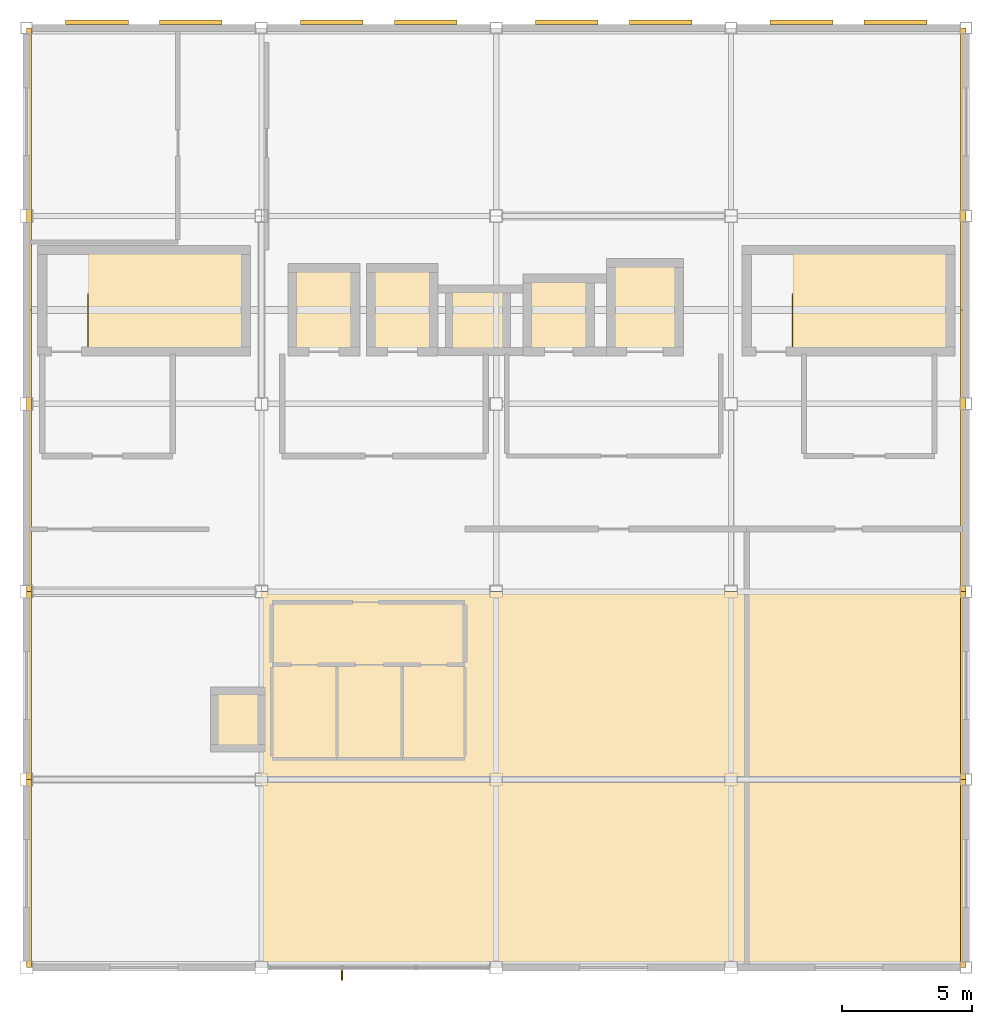
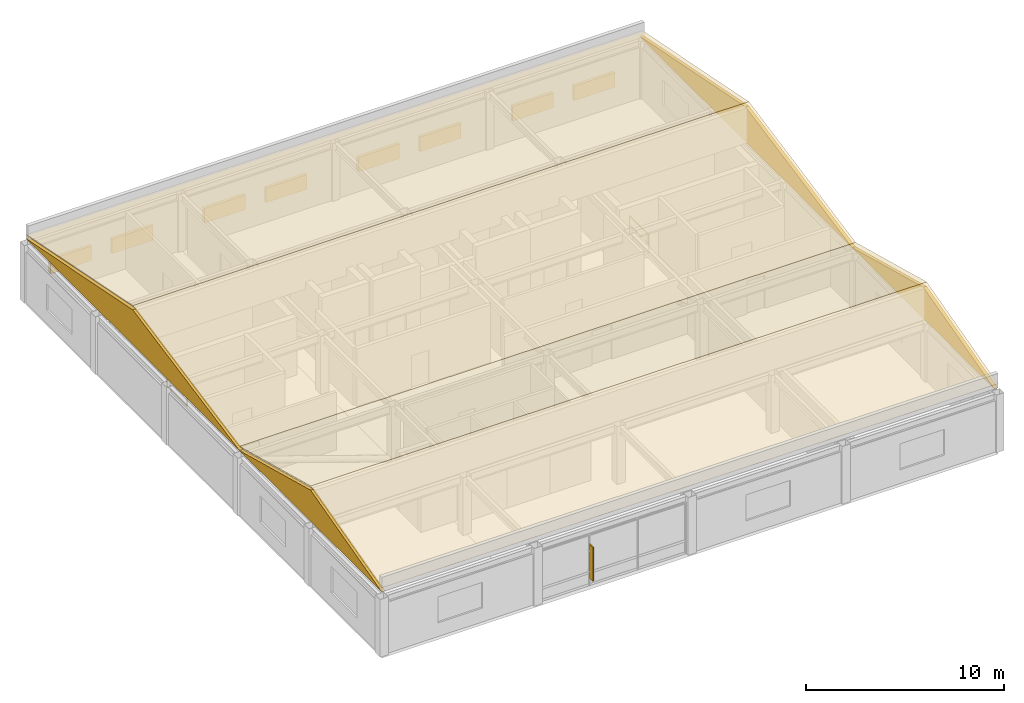
# One storey, part 9 of 9: 9 shading devices, 8 coverings, 2 railings.
"""IFC4 building model written with IfcOpenShell, lengths in metres."""

from ifc_helpers import new_model, si_unit, direction, frame, origin, origin_2d, place, context, subcontext, project, spatial, polyline, rectangle, outline, extrude, material, layer, layer_set, type_object, element, save


model = new_model("IFC4")

# Units and contexts
model_context = context("Model", 3, precision=1e-05, world=origin(), true_north=direction((0.0, 1.0)))
body_context = subcontext(model_context, "Body", "Model", "MODEL_VIEW")
ifc_project = project(units=[si_unit("LENGTHUNIT", "METRE"), si_unit("AREAUNIT", "SQUARE_METRE"), si_unit("VOLUMEUNIT", "CUBIC_METRE"), si_unit("PLANEANGLEUNIT", "RADIAN"), si_unit("MASSUNIT", "GRAM", prefix="KILO")], contexts=[model_context])

# Site, building, storey
site_placement = place(None, origin())
site = spatial("IfcSite", under=ifc_project, at=site_placement, CompositionType="ELEMENT")
building_placement = place(site_placement, origin())
building = spatial("IfcBuilding", under=site, at=building_placement, Name="Kazanami Central Library", CompositionType="ELEMENT")
storey_placement = place(building_placement, frame((0.0, 0.0, 31.39990234375)))
storey = spatial("IfcBuildingStorey", under=building, at=storey_placement, Name="L09", CompositionType="ELEMENT", Elevation=31.39990234375)

# Coverings
ifc_material_1 = material(Name="Honed Inada Granite", Category="masonry")
ifc_layer_1 = layer(ifc_material_1, 0.199951171875, Name="Honed Inada Granite")
ifc_layer_set_1 = layer_set([ifc_layer_1], Name="Honed Inada Granite")
covering_type_1 = type_object("IfcCoveringType", Name="COV-GAB-200", PredefinedType="CLADDING", material=ifc_layer_set_1)
for number, where, z_axis, x_axis, name in (
    (1, (126.199951171875, 57.60009765625, 3.800048828125), (1.0, 0.0, 0.0), (0.0, 1.0, 0.0), "Granite Gable Pediment GAB-L09-V2-S (W)"),
    (2, (162.0, 57.60009765625, 3.800048828125), (1.0, 0.0, 0.0), (0.0, 1.0, 0.0), "Granite Gable Pediment GAB-L09-V2-S (E)"),
):
    element("IfcCovering", number, at=place(storey_placement, frame(where, z_axis=z_axis, x_axis=x_axis)), inside=storey, type_object=covering_type_1, Name=name, PredefinedType="CLADDING", context=body_context, shape_type="SweptSolid", body=[
        extrude(outline(polyline([(0.0, 0.0), (14.39990234375, 0.0), (7.199951171875, 1.920166015625), (0.0, 0.0)])), origin(), (0.0, 0.0, -1.0), 0.199951171875),
    ])
for number, where, z_axis, x_axis, name in (
    (3, (126.199951171875, 72.0, 3.800048828125), (1.0, 0.0, 0.0), (0.0, 1.0, 0.0), "Granite Gable Pediment GAB-L09-V2-N (W)"),
    (4, (162.0, 72.0, 3.800048828125), (1.0, 0.0, 0.0), (0.0, 1.0, 0.0), "Granite Gable Pediment GAB-L09-V2-N (E)"),
):
    element("IfcCovering", number, at=place(storey_placement, frame(where, z_axis=z_axis, x_axis=x_axis)), inside=storey, type_object=covering_type_1, Name=name, PredefinedType="CLADDING", context=body_context, shape_type="SweptSolid", body=[
        extrude(outline(polyline([(0.0, 0.0), (21.60009765625, 0.0), (10.800048828125, 2.150146484375), (0.0, 0.0)])), origin(), (0.0, 0.0, -1.0), 0.199951171875),
    ])
ifc_material_2 = material(Name="Standing-Seam Titanium Zinc")
ifc_layer_2 = layer(ifc_material_2, 0.034912109375, Name="Standing-Seam Titanium Zinc")
ifc_layer_set_2 = layer_set([ifc_layer_2], Name="Standing-Seam Titanium Zinc")
covering_type_2 = type_object("IfcCoveringType", Name="COV-ZNC-35", PredefinedType="ROOFING", material=ifc_layer_set_2)
for number, where, z_axis, x_axis, name in (
    (5, (126.0, 57.60009765625, 4.06396484375), (0.0, -0.257654493589, 0.966237114757), (1.0, 0.0, 0.0), "Standing-Seam Zinc Roofing South GAB-L09-V2-S"),
    (6, (162.0, 72.0, 4.06396484375), (0.0, 0.257654493589, 0.966237114757), (-1.0, 0.0, 0.0), "Standing-Seam Zinc Roofing North GAB-L09-V2-S"),
):
    element("IfcCovering", number, at=place(storey_placement, frame(where, z_axis=z_axis, x_axis=x_axis)), inside=storey, type_object=covering_type_2, Name=name, PredefinedType="ROOFING", context=body_context, shape_type="SweptSolid", body=[
        extrude(outline(polyline([(0.0, 0.0), (36.0, 0.0), (36.0, 7.451536545135351), (0.0, 7.451536545135351), (0.0, 0.0)])), origin(), (0.0, 0.0, -1.0), 0.034912109375),
    ])
for number, where, z_axis, x_axis, name in (
    (7, (126.0, 72.0, 4.06005859375), (0.0, -0.195254824236, 0.980752544535), (1.0, 0.0, 0.0), "Standing-Seam Zinc Roofing South GAB-L09-V2-N"),
    (8, (162.0, 93.60009765625, 4.06005859375), (0.0, 0.195254824236, 0.980752544535), (-1.0, 0.0, 0.0), "Standing-Seam Zinc Roofing North GAB-L09-V2-N"),
):
    element("IfcCovering", number, at=place(storey_placement, frame(where, z_axis=z_axis, x_axis=x_axis)), inside=storey, type_object=covering_type_2, Name=name, PredefinedType="ROOFING", context=body_context, shape_type="SweptSolid", body=[
        extrude(outline(polyline([(0.0, 0.0), (36.0, 0.0), (36.0, 11.012001843177941), (0.0, 11.012001843177941), (0.0, 0.0)])), origin(), (0.0, 0.0, -1.0), 0.034912109375),
    ])

# Railings
ifc_material_3 = material(Name="Stainless Steel SUS304", Category="steel")
railing_type = type_object("IfcRailingType", Name="RAL-GR-S1", PredefinedType="GUARDRAIL", material=ifc_material_3)
for number, where, name in (
    (9, (128.360107421875, 81.39501953125, 0.0), "Stair Well Guard ST-01 L09"),
    (10, (155.360107421875, 81.39501953125, 0.0), "Stair Well Guard ST-02 L09"),
):
    element("IfcRailing", number, at=place(storey_placement, frame(where)), inside=storey, type_object=railing_type, Name=name, PredefinedType="GUARDRAIL", context=body_context, shape_type="SweptSolid", body=[
        extrude(rectangle(XDim=0.0439453125, YDim=0.0439453125, at=origin_2d()), frame((0.0, 0.02587890625, 1.1279296875), z_axis=(0.0, 1.0, 0.0), x_axis=(-1.0, 0.0, 0.0)), (0.0, 0.0, 1.0), 1.9580078125),
        extrude(rectangle(XDim=0.02392578125, YDim=0.02392578125, at=origin_2d()), frame((0.0, 0.02587890625, 0.015869140625), z_axis=(0.0, 1.0, 0.0), x_axis=(-1.0, 0.0, 0.0)), (0.0, 0.0, 1.0), 1.9580078125),
        extrude(rectangle(XDim=0.02392578125, YDim=0.02392578125, at=origin_2d()), frame((0.0, 0.02587890625, 0.574951171875), z_axis=(0.0, 1.0, 0.0), x_axis=(-1.0, 0.0, 0.0)), (0.0, 0.0, 1.0), 1.9580078125),
        extrude(rectangle(XDim=0.035888671875, YDim=0.035888671875, at=origin_2d()), origin(), (0.0, 0.0, 1.0), 1.10205078125),
        extrude(rectangle(XDim=0.035888671875, YDim=0.035888671875, at=origin_2d()), frame((0.0, 2.010009765625, 0.0)), (0.0, 0.0, 1.0), 1.10205078125),
    ])

# Shading devices
ifc_material_4 = material(Name="Anodised Bronze-Grey Aluminium A6063-T5", Category="aluminium")
shading_device_type_1 = type_object("IfcShadingDeviceType", Name="SHD-FIN-1", PredefinedType="USERDEFINED", material=ifc_material_4)
shading_device_placement = place(storey_placement, frame((138.083251953125, 57.300048828125, 0.530029296875), z_axis=(0.0, 0.0, 1.0), x_axis=(1.0, 0.0, 0.0)))
element("IfcShadingDevice", 11, at=shading_device_placement, inside=storey, type_object=shading_device_type_1, Name="Vertical Solar Fin SF-01 L09 S-J-15.1", ObjectType="SOLAR FIN", PredefinedType="USERDEFINED", context=body_context, shape_type="SweptSolid", body=[
    extrude(rectangle(XDim=0.06005859375, YDim=0.360107421875, at=origin_2d()), origin(), (0.0, 0.0, 1.0), 2.10009765625),
])
shading_device_type_2 = type_object("IfcShadingDeviceType", Name="SHD-LOU-1", PredefinedType="JALOUSIE", material=ifc_material_4)
for number, where, z_axis, x_axis, name in (
    (12, (132.300048828125, 93.820068359375, 1.000244140625), (0.0, 0.0, 1.0), (-1.0, 0.0, 0.0), "Plant Acoustic Intake Louvre 14.1"),
    (13, (128.699951171875, 93.820068359375, 1.000244140625), (0.0, 0.0, 1.0), (-1.0, 0.0, 0.0), "Plant Acoustic Intake Louvre 14.2"),
    (14, (141.300048828125, 93.820068359375, 1.000244140625), (0.0, 0.0, 1.0), (-1.0, 0.0, 0.0), "Plant Acoustic Intake Louvre 15.1"),
    (15, (137.699951171875, 93.820068359375, 1.000244140625), (0.0, 0.0, 1.0), (-1.0, 0.0, 0.0), "Plant Acoustic Intake Louvre 15.2"),
    (16, (150.300048828125, 93.820068359375, 1.000244140625), (0.0, 0.0, 1.0), (-1.0, 0.0, 0.0), "Plant Acoustic Intake Louvre 16.1"),
    (17, (146.699951171875, 93.820068359375, 1.000244140625), (0.0, 0.0, 1.0), (-1.0, 0.0, 0.0), "Plant Acoustic Intake Louvre 16.2"),
    (18, (159.300048828125, 93.820068359375, 1.000244140625), (0.0, 0.0, 1.0), (-1.0, 0.0, 0.0), "Plant Acoustic Intake Louvre 17.1"),
    (19, (155.699951171875, 93.820068359375, 1.000244140625), (0.0, 0.0, 1.0), (-1.0, 0.0, 0.0), "Plant Acoustic Intake Louvre 17.2"),
):
    element("IfcShadingDevice", number, at=place(storey_placement, frame(where, z_axis=z_axis, x_axis=x_axis)), inside=storey, type_object=shading_device_type_2, Name=name, PredefinedType="JALOUSIE", context=body_context, shape_type="SweptSolid", body=[
        extrude(rectangle(XDim=2.39990234375, YDim=0.179931640625, at=origin_2d()), origin(), (0.0, 0.0, 1.0), 0.89990234375),
    ])

save(model, "model.ifc")
